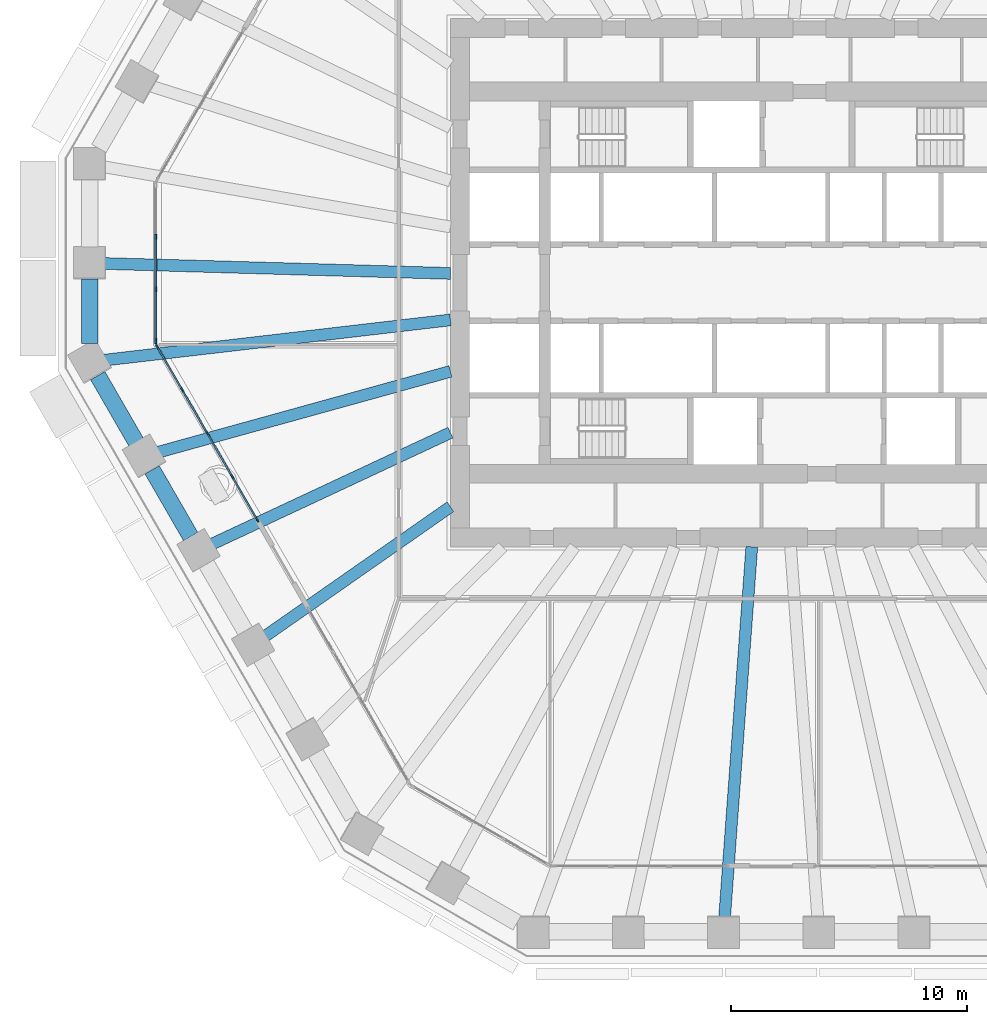
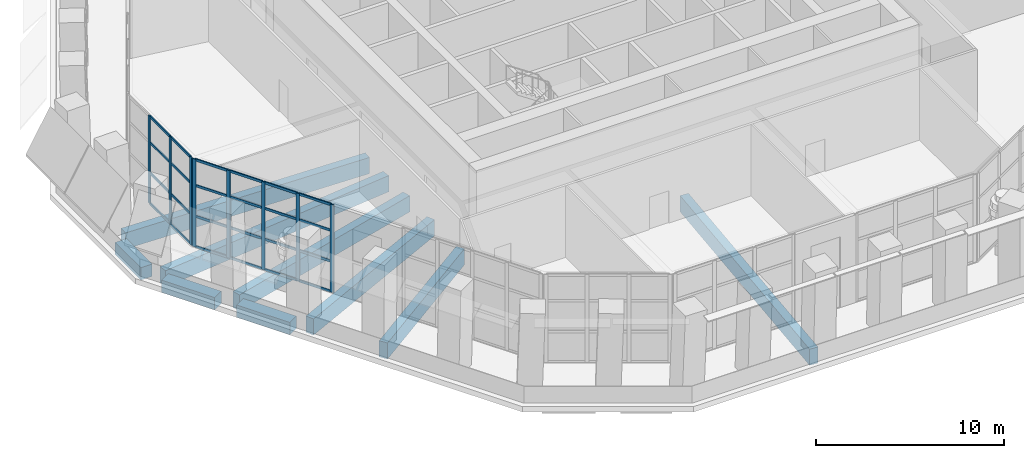
# One storey, part 3 of 22: 32 members, 9 beams, 2 elements without a shape of their own.
"""IFC4 building model written with IfcOpenShell, lengths in metres."""

from ifc_helpers import new_model, si_unit, direction, frame, origin, origin_2d, place, context, subcontext, project, spatial, rectangle, extrude, material, material_profile, profile_set, type_object, element, aggregate, save


model = new_model("IFC4")

# Units and contexts
model_context = context("Model", 3, precision=1e-05, world=origin(), true_north=direction((0.0, 1.0)))
body_context = subcontext(model_context, "Body", "Model", "MODEL_VIEW")
ifc_project = project(units=[si_unit("LENGTHUNIT", "METRE"), si_unit("AREAUNIT", "SQUARE_METRE"), si_unit("VOLUMEUNIT", "CUBIC_METRE"), si_unit("PLANEANGLEUNIT", "RADIAN"), si_unit("MASSUNIT", "GRAM", prefix="KILO")], contexts=[model_context])

# Site, building, storey
site_placement = place(None, origin())
site = spatial("IfcSite", under=ifc_project, at=site_placement, CompositionType="ELEMENT")
building_placement = place(site_placement, origin())
building = spatial("IfcBuilding", under=site, at=building_placement, Name="Frailejon Research Tower", CompositionType="ELEMENT")
storey_placement = place(building_placement, frame((0.0, 0.0, 107.199951171875)))
storey = spatial("IfcBuildingStorey", under=building, at=storey_placement, Name="L23", CompositionType="ELEMENT", Elevation=107.199951171875)

# Beams
ifc_material_1 = material(Name="Concrete C60/75", Category="concrete")
ifc_material_profile_1 = material_profile(ifc_material_1, rectangle(XDim=0.5, YDim=1.050048828125, at=origin_2d()), Name="Girder 500x1050")
ifc_profile_set_1 = profile_set([ifc_material_profile_1], Name="Concrete C60/75")
beam_type_1 = type_object("IfcBeamType", Name="Girder 500x1050", PredefinedType="BEAM", material=ifc_profile_set_1)
beam_1_placement = place(storey_placement, frame((-28.36669921875, 0.814697265625, -0.824951171875), z_axis=(0.99958788341, -0.02870650343, 0.0), x_axis=(0.02870650343, 0.99958788341, 0.0)))
element("IfcBeam", 1, at=beam_1_placement, inside=storey, type_object=beam_type_1, Name="Girder 500x1050", PredefinedType="BEAM", context=body_context, shape_type="SweptSolid", body=[
    extrude(rectangle(XDim=0.5, YDim=1.050048828125, at=origin_2d()), origin(), (0.0, 0.0, 1.0), 14.772705078125),
])
beam_2_placement = place(storey_placement, frame((-28.310302734375, -3.290283203125, -0.824951171875), z_axis=(0.993313360976, 0.115449412758, 0.0), x_axis=(-0.115449412758, 0.993313360976, 0.0)))
element("IfcBeam", 2, at=beam_2_placement, inside=storey, type_object=beam_type_1, Name="Girder 500x1050", PredefinedType="BEAM", context=body_context, shape_type="SweptSolid", body=[
    extrude(rectangle(XDim=0.5, YDim=1.050048828125, at=origin_2d()), origin(), (0.0, 0.0, 1.0), 14.809326171875),
])
beam_3_placement = place(storey_placement, frame((-26.056640625, -7.208740234375, -0.824951171875), z_axis=(0.963793976071, 0.266648029599, 0.0), x_axis=(-0.266648029599, 0.963793976071, 0.0)))
element("IfcBeam", 3, at=beam_3_placement, inside=storey, type_object=beam_type_1, Name="Girder 500x1050", PredefinedType="BEAM", context=body_context, shape_type="SweptSolid", body=[
    extrude(rectangle(XDim=0.5, YDim=1.050048828125, at=origin_2d()), origin(), (0.0, 0.0, 1.0), 12.924560546875),
])
beam_4_placement = place(storey_placement, frame((-23.798828125, -11.128173828125, -0.824951171875), z_axis=(0.905863227324, 0.423570316927, 0.0), x_axis=(-0.423570316927, 0.905863227324, 0.0)))
element("IfcBeam", 4, at=beam_4_placement, inside=storey, type_object=beam_type_1, Name="Girder 500x1050", PredefinedType="BEAM", context=body_context, shape_type="SweptSolid", body=[
    extrude(rectangle(XDim=0.5, YDim=1.050048828125, at=origin_2d()), origin(), (0.0, 0.0, 1.0), 11.258544921875),
])
beam_5_placement = place(storey_placement, frame((-21.53662109375, -15.04638671875, -0.824951171875), z_axis=(0.819748109744, 0.572724223838, 0.0), x_axis=(-0.572724223838, 0.819748109744, 0.0)))
element("IfcBeam", 5, at=beam_5_placement, inside=storey, type_object=beam_type_1, Name="Girder 500x1050", PredefinedType="BEAM", context=body_context, shape_type="SweptSolid", body=[
    extrude(rectangle(XDim=0.5, YDim=1.050048828125, at=origin_2d()), origin(), (0.0, 0.0, 1.0), 9.681640625),
])
beam_6_placement = place(storey_placement, frame((-1.981689453125, -27.00439453125, -0.824951171875), z_axis=(0.073179335607, 0.997318797998, 0.0), x_axis=(-0.997318797998, 0.073179335607, 0.0)))
element("IfcBeam", 6, at=beam_6_placement, inside=storey, type_object=beam_type_1, Name="Girder 500x1050", PredefinedType="BEAM", context=body_context, shape_type="SweptSolid", body=[
    extrude(rectangle(XDim=0.5, YDim=1.050048828125, at=origin_2d()), origin(), (0.0, 0.0, 1.0), 15.846923828125),
])

# Curtain wall, members
ifc_material_2 = material(Name="Aluminium curtain wall", Category="aluminium")
curtain_wall_type = type_object("IfcCurtainWallType", Name="Sky lobby curtain wall system", PredefinedType="NOTDEFINED", material=ifc_material_2)
curtain_wall_1_placement = place(storey_placement, origin())
curtain_wall_1 = element("IfcCurtainWall", 7, at=curtain_wall_1_placement, inside=storey, type_object=curtain_wall_type, Name="Curtain wall L23", PredefinedType="NOTDEFINED")
ifc_material_3 = material(Name="Aluminium extrusion", Category="aluminium")
ifc_material_profile_2 = material_profile(ifc_material_3, rectangle(XDim=0.070068359375, YDim=0.219970703125, at=origin_2d()), Name="Sky lobby curtain wall mullion 70x220")
ifc_profile_set_2 = profile_set([ifc_material_profile_2], Name="Aluminium extrusion")
member_type_1 = type_object("IfcMemberType", Name="Sky lobby curtain wall mullion 70x220", PredefinedType="MULLION", material=ifc_profile_set_2)
member_1_placement = place(storey_placement, frame((-26.091796875, 1.942138671875, 0.0), z_axis=(0.0, 0.0, 1.0), x_axis=(1.0, 0.0, 0.0)))
member_1 = element("IfcMember", 8, at=member_1_placement, type_object=member_type_1, Name="CW4-090 mullion 2", PredefinedType="MULLION", context=body_context, shape_type="SweptSolid", body=[
    extrude(rectangle(XDim=0.070068359375, YDim=0.219970703125, at=origin_2d()), origin(), (0.0, 0.0, 1.0), 5.699951171875),
])
member_2_placement = place(storey_placement, frame((-26.091796875, -0.28271484375, 0.0), z_axis=(0.0, 0.0, 1.0), x_axis=(1.0, 0.0, 0.0)))
member_2 = element("IfcMember", 9, at=member_2_placement, type_object=member_type_1, Name="CW4-090 mullion 3", PredefinedType="MULLION", context=body_context, shape_type="SweptSolid", body=[
    extrude(rectangle(XDim=0.070068359375, YDim=0.219970703125, at=origin_2d()), origin(), (0.0, 0.0, 1.0), 5.699951171875),
])
member_3_placement = place(storey_placement, frame((-26.091796875, -2.47265625, 0.0), z_axis=(0.0, 0.0, 1.0), x_axis=(1.0, 0.0, 0.0)))
member_3 = element("IfcMember", 10, at=member_3_placement, type_object=member_type_1, Name="CW4-090 mullion 4", PredefinedType="MULLION", context=body_context, shape_type="SweptSolid", body=[
    extrude(rectangle(XDim=0.070068359375, YDim=0.219970703125, at=origin_2d()), origin(), (0.0, 0.0, 1.0), 5.699951171875),
])

curtain_wall_2_placement = place(storey_placement, origin())
curtain_wall_2 = element("IfcCurtainWall", 11, at=curtain_wall_2_placement, inside=storey, type_object=curtain_wall_type, Name="Curtain wall L23", PredefinedType="NOTDEFINED")
member_4_placement = place(storey_placement, frame((-26.0244140625, -2.724609375, 0.0), z_axis=(0.0, 0.0, 1.0), x_axis=(0.866025500668, 0.499999832193, 0.0)))
member_4 = element("IfcMember", 12, at=member_4_placement, type_object=member_type_1, Name="CW4-091 mullion 1", PredefinedType="MULLION", context=body_context, shape_type="SweptSolid", body=[
    extrude(rectangle(XDim=0.070068359375, YDim=0.219970703125, at=origin_2d()), origin(), (0.0, 0.0, 1.0), 5.699951171875),
])
member_5_placement = place(storey_placement, frame((-24.9755859375, -4.541015625, 0.0), z_axis=(0.0, 0.0, 1.0), x_axis=(0.866025500668, 0.499999832193, 0.0)))
member_5 = element("IfcMember", 13, at=member_5_placement, type_object=member_type_1, Name="CW4-091 mullion 2", PredefinedType="MULLION", context=body_context, shape_type="SweptSolid", body=[
    extrude(rectangle(XDim=0.070068359375, YDim=0.219970703125, at=origin_2d()), origin(), (0.0, 0.0, 1.0), 5.699951171875),
])
member_6_placement = place(storey_placement, frame((-23.9091796875, -6.387939453125, 0.0), z_axis=(0.0, 0.0, 1.0), x_axis=(0.866025500668, 0.499999832193, 0.0)))
member_6 = element("IfcMember", 14, at=member_6_placement, type_object=member_type_1, Name="CW4-091 mullion 3", PredefinedType="MULLION", context=body_context, shape_type="SweptSolid", body=[
    extrude(rectangle(XDim=0.070068359375, YDim=0.219970703125, at=origin_2d()), origin(), (0.0, 0.0, 1.0), 5.699951171875),
])
member_7_placement = place(storey_placement, frame((-22.843017578125, -8.234619140625, 0.0), z_axis=(0.0, 0.0, 1.0), x_axis=(0.866025500668, 0.499999832193, 0.0)))
member_7 = element("IfcMember", 15, at=member_7_placement, type_object=member_type_1, Name="CW4-091 mullion 4", PredefinedType="MULLION", context=body_context, shape_type="SweptSolid", body=[
    extrude(rectangle(XDim=0.070068359375, YDim=0.219970703125, at=origin_2d()), origin(), (0.0, 0.0, 1.0), 5.699951171875),
])
member_8_placement = place(storey_placement, frame((-21.794189453125, -10.05126953125, 0.0), z_axis=(0.0, 0.0, 1.0), x_axis=(0.866025500668, 0.499999832193, 0.0)))
member_8 = element("IfcMember", 16, at=member_8_placement, type_object=member_type_1, Name="CW4-091 mullion 5", PredefinedType="MULLION", context=body_context, shape_type="SweptSolid", body=[
    extrude(rectangle(XDim=0.070068359375, YDim=0.219970703125, at=origin_2d()), origin(), (0.0, 0.0, 1.0), 5.699951171875),
])

# Member
ifc_material_4 = material(Name="Aluminium extrusion", Category="aluminium")
ifc_material_profile_3 = material_profile(ifc_material_4, rectangle(XDim=0.070068359375, YDim=0.159912109375, at=origin_2d()), Name="Sky lobby curtain wall transom 70x160")
ifc_profile_set_3 = profile_set([ifc_material_profile_3], Name="Aluminium extrusion")
member_type_2 = type_object("IfcMemberType", Name="Sky lobby curtain wall transom 70x160", PredefinedType="USERDEFINED", material=ifc_profile_set_3)
member_9_placement = place(storey_placement, frame((-26.091796875, 1.906982421875, 0.03515625), z_axis=(0.0, -1.0, 0.0), x_axis=(1.0, 0.0, 0.0)))
member_9 = element("IfcMember", 17, at=member_9_placement, type_object=member_type_2, Name="CW4-090 transom 2.1", ObjectType="TRANSOM", PredefinedType="USERDEFINED", context=body_context, shape_type="SweptSolid", body=[
    extrude(rectangle(XDim=0.070068359375, YDim=0.159912109375, at=origin_2d()), origin(), (0.0, 0.0, 1.0), 2.15478515625),
])

member_10_placement = place(storey_placement, frame((-26.091796875, 1.906982421875, 2.0), z_axis=(0.0, -1.0, 0.0), x_axis=(1.0, 0.0, 0.0)))
member_10 = element("IfcMember", 18, at=member_10_placement, type_object=member_type_2, Name="CW4-090 transom 2.2", ObjectType="TRANSOM", PredefinedType="USERDEFINED", context=body_context, shape_type="SweptSolid", body=[
    extrude(rectangle(XDim=0.070068359375, YDim=0.159912109375, at=origin_2d()), origin(), (0.0, 0.0, 1.0), 2.15478515625),
])

member_11_placement = place(storey_placement, frame((-26.091796875, 1.906982421875, 4.0), z_axis=(0.0, -1.0, 0.0), x_axis=(1.0, 0.0, 0.0)))
member_11 = element("IfcMember", 19, at=member_11_placement, type_object=member_type_2, Name="CW4-090 transom 2.3", ObjectType="TRANSOM", PredefinedType="USERDEFINED", context=body_context, shape_type="SweptSolid", body=[
    extrude(rectangle(XDim=0.070068359375, YDim=0.159912109375, at=origin_2d()), origin(), (0.0, 0.0, 1.0), 2.15478515625),
])

member_12_placement = place(storey_placement, frame((-26.091796875, 1.906982421875, 5.6650390625), z_axis=(0.0, -1.0, 0.0), x_axis=(1.0, 0.0, 0.0)))
member_12 = element("IfcMember", 20, at=member_12_placement, type_object=member_type_2, Name="CW4-090 transom 2.4", ObjectType="TRANSOM", PredefinedType="USERDEFINED", context=body_context, shape_type="SweptSolid", body=[
    extrude(rectangle(XDim=0.070068359375, YDim=0.159912109375, at=origin_2d()), origin(), (0.0, 0.0, 1.0), 2.15478515625),
])

member_13_placement = place(storey_placement, frame((-26.091796875, -0.31787109375, 0.03515625), z_axis=(0.0, -1.0, 0.0), x_axis=(1.0, 0.0, 0.0)))
member_13 = element("IfcMember", 21, at=member_13_placement, type_object=member_type_2, Name="CW4-090 transom 3.1", ObjectType="TRANSOM", PredefinedType="USERDEFINED", context=body_context, shape_type="SweptSolid", body=[
    extrude(rectangle(XDim=0.070068359375, YDim=0.159912109375, at=origin_2d()), origin(), (0.0, 0.0, 1.0), 2.119873046875),
])

member_14_placement = place(storey_placement, frame((-26.091796875, -0.31787109375, 2.0), z_axis=(0.0, -1.0, 0.0), x_axis=(1.0, 0.0, 0.0)))
member_14 = element("IfcMember", 22, at=member_14_placement, type_object=member_type_2, Name="CW4-090 transom 3.2", ObjectType="TRANSOM", PredefinedType="USERDEFINED", context=body_context, shape_type="SweptSolid", body=[
    extrude(rectangle(XDim=0.070068359375, YDim=0.159912109375, at=origin_2d()), origin(), (0.0, 0.0, 1.0), 2.119873046875),
])

member_15_placement = place(storey_placement, frame((-26.091796875, -0.31787109375, 4.0), z_axis=(0.0, -1.0, 0.0), x_axis=(1.0, 0.0, 0.0)))
member_15 = element("IfcMember", 23, at=member_15_placement, type_object=member_type_2, Name="CW4-090 transom 3.3", ObjectType="TRANSOM", PredefinedType="USERDEFINED", context=body_context, shape_type="SweptSolid", body=[
    extrude(rectangle(XDim=0.070068359375, YDim=0.159912109375, at=origin_2d()), origin(), (0.0, 0.0, 1.0), 2.119873046875),
])

member_16_placement = place(storey_placement, frame((-26.091796875, -0.31787109375, 5.6650390625), z_axis=(0.0, -1.0, 0.0), x_axis=(1.0, 0.0, 0.0)))
member_16 = element("IfcMember", 24, at=member_16_placement, type_object=member_type_2, Name="CW4-090 transom 3.4", ObjectType="TRANSOM", PredefinedType="USERDEFINED", context=body_context, shape_type="SweptSolid", body=[
    extrude(rectangle(XDim=0.070068359375, YDim=0.159912109375, at=origin_2d()), origin(), (0.0, 0.0, 1.0), 2.119873046875),
])

aggregate(curtain_wall_1, [member_1, member_2, member_3, member_9, member_10, member_11, member_12, member_13, member_14, member_15, member_16])

member_17_placement = place(storey_placement, frame((-26.0068359375, -2.7548828125, 0.03515625), z_axis=(0.499972622635, -0.866041209536, 0.0), x_axis=(0.866041209536, 0.499972622635, 0.0)))
member_17 = element("IfcMember", 25, at=member_17_placement, type_object=member_type_2, Name="CW4-091 transom 1.1", ObjectType="TRANSOM", PredefinedType="USERDEFINED", context=body_context, shape_type="SweptSolid", body=[
    extrude(rectangle(XDim=0.070068359375, YDim=0.159912109375, at=origin_2d()), origin(), (0.0, 0.0, 1.0), 2.02734375),
])

member_18_placement = place(storey_placement, frame((-26.0068359375, -2.7548828125, 2.0), z_axis=(0.499972622635, -0.866041209536, 0.0), x_axis=(0.866041209536, 0.499972622635, 0.0)))
member_18 = element("IfcMember", 26, at=member_18_placement, type_object=member_type_2, Name="CW4-091 transom 1.2", ObjectType="TRANSOM", PredefinedType="USERDEFINED", context=body_context, shape_type="SweptSolid", body=[
    extrude(rectangle(XDim=0.070068359375, YDim=0.159912109375, at=origin_2d()), origin(), (0.0, 0.0, 1.0), 2.02734375),
])

member_19_placement = place(storey_placement, frame((-26.0068359375, -2.7548828125, 4.0), z_axis=(0.499972622635, -0.866041209536, 0.0), x_axis=(0.866041209536, 0.499972622635, 0.0)))
member_19 = element("IfcMember", 27, at=member_19_placement, type_object=member_type_2, Name="CW4-091 transom 1.3", ObjectType="TRANSOM", PredefinedType="USERDEFINED", context=body_context, shape_type="SweptSolid", body=[
    extrude(rectangle(XDim=0.070068359375, YDim=0.159912109375, at=origin_2d()), origin(), (0.0, 0.0, 1.0), 2.02734375),
])

member_20_placement = place(storey_placement, frame((-26.0068359375, -2.7548828125, 5.6650390625), z_axis=(0.499972622635, -0.866041209536, 0.0), x_axis=(0.866041209536, 0.499972622635, 0.0)))
member_20 = element("IfcMember", 28, at=member_20_placement, type_object=member_type_2, Name="CW4-091 transom 1.4", ObjectType="TRANSOM", PredefinedType="USERDEFINED", context=body_context, shape_type="SweptSolid", body=[
    extrude(rectangle(XDim=0.070068359375, YDim=0.159912109375, at=origin_2d()), origin(), (0.0, 0.0, 1.0), 2.02734375),
])

member_21_placement = place(storey_placement, frame((-24.9580078125, -4.5712890625, 0.03515625), z_axis=(0.499958106649, -0.866049589571, 0.0), x_axis=(0.866049589571, 0.499958106649, 0.0)))
member_21 = element("IfcMember", 29, at=member_21_placement, type_object=member_type_2, Name="CW4-091 transom 2.1", ObjectType="TRANSOM", PredefinedType="USERDEFINED", context=body_context, shape_type="SweptSolid", body=[
    extrude(rectangle(XDim=0.070068359375, YDim=0.159912109375, at=origin_2d()), origin(), (0.0, 0.0, 1.0), 2.062744140625),
])

member_22_placement = place(storey_placement, frame((-24.9580078125, -4.5712890625, 2.0), z_axis=(0.499958106649, -0.866049589571, 0.0), x_axis=(0.866049589571, 0.499958106649, 0.0)))
member_22 = element("IfcMember", 30, at=member_22_placement, type_object=member_type_2, Name="CW4-091 transom 2.2", ObjectType="TRANSOM", PredefinedType="USERDEFINED", context=body_context, shape_type="SweptSolid", body=[
    extrude(rectangle(XDim=0.070068359375, YDim=0.159912109375, at=origin_2d()), origin(), (0.0, 0.0, 1.0), 2.062744140625),
])

member_23_placement = place(storey_placement, frame((-24.9580078125, -4.5712890625, 4.0), z_axis=(0.499958106649, -0.866049589571, 0.0), x_axis=(0.866049589571, 0.499958106649, 0.0)))
member_23 = element("IfcMember", 31, at=member_23_placement, type_object=member_type_2, Name="CW4-091 transom 2.3", ObjectType="TRANSOM", PredefinedType="USERDEFINED", context=body_context, shape_type="SweptSolid", body=[
    extrude(rectangle(XDim=0.070068359375, YDim=0.159912109375, at=origin_2d()), origin(), (0.0, 0.0, 1.0), 2.062744140625),
])

member_24_placement = place(storey_placement, frame((-24.9580078125, -4.5712890625, 5.6650390625), z_axis=(0.499958106649, -0.866049589571, 0.0), x_axis=(0.866049589571, 0.499958106649, 0.0)))
member_24 = element("IfcMember", 32, at=member_24_placement, type_object=member_type_2, Name="CW4-091 transom 2.4", ObjectType="TRANSOM", PredefinedType="USERDEFINED", context=body_context, shape_type="SweptSolid", body=[
    extrude(rectangle(XDim=0.070068359375, YDim=0.159912109375, at=origin_2d()), origin(), (0.0, 0.0, 1.0), 2.062744140625),
])

member_25_placement = place(storey_placement, frame((-23.891845703125, -6.418212890625, 0.03515625), z_axis=(0.500009360108, -0.866019999656, 0.0), x_axis=(0.866019999656, 0.500009360108, 0.0)))
member_25 = element("IfcMember", 33, at=member_25_placement, type_object=member_type_2, Name="CW4-091 transom 3.1", ObjectType="TRANSOM", PredefinedType="USERDEFINED", context=body_context, shape_type="SweptSolid", body=[
    extrude(rectangle(XDim=0.070068359375, YDim=0.159912109375, at=origin_2d()), origin(), (0.0, 0.0, 1.0), 2.0625),
])

member_26_placement = place(storey_placement, frame((-23.891845703125, -6.418212890625, 2.0), z_axis=(0.500009360108, -0.866019999656, 0.0), x_axis=(0.866019999656, 0.500009360108, 0.0)))
member_26 = element("IfcMember", 34, at=member_26_placement, type_object=member_type_2, Name="CW4-091 transom 3.2", ObjectType="TRANSOM", PredefinedType="USERDEFINED", context=body_context, shape_type="SweptSolid", body=[
    extrude(rectangle(XDim=0.070068359375, YDim=0.159912109375, at=origin_2d()), origin(), (0.0, 0.0, 1.0), 2.0625),
])

member_27_placement = place(storey_placement, frame((-23.891845703125, -6.418212890625, 4.0), z_axis=(0.500009360108, -0.866019999656, 0.0), x_axis=(0.866019999656, 0.500009360108, 0.0)))
member_27 = element("IfcMember", 35, at=member_27_placement, type_object=member_type_2, Name="CW4-091 transom 3.3", ObjectType="TRANSOM", PredefinedType="USERDEFINED", context=body_context, shape_type="SweptSolid", body=[
    extrude(rectangle(XDim=0.070068359375, YDim=0.159912109375, at=origin_2d()), origin(), (0.0, 0.0, 1.0), 2.0625),
])

member_28_placement = place(storey_placement, frame((-23.891845703125, -6.418212890625, 5.6650390625), z_axis=(0.500009360108, -0.866019999656, 0.0), x_axis=(0.866019999656, 0.500009360108, 0.0)))
member_28 = element("IfcMember", 36, at=member_28_placement, type_object=member_type_2, Name="CW4-091 transom 3.4", ObjectType="TRANSOM", PredefinedType="USERDEFINED", context=body_context, shape_type="SweptSolid", body=[
    extrude(rectangle(XDim=0.070068359375, YDim=0.159912109375, at=origin_2d()), origin(), (0.0, 0.0, 1.0), 2.0625),
])

member_29_placement = place(storey_placement, frame((-22.825439453125, -8.264892578125, 0.03515625), z_axis=(0.49992048685, -0.866071305856, 0.0), x_axis=(0.866071305856, 0.49992048685, 0.0)))
member_29 = element("IfcMember", 37, at=member_29_placement, type_object=member_type_2, Name="CW4-091 transom 4.1", ObjectType="TRANSOM", PredefinedType="USERDEFINED", context=body_context, shape_type="SweptSolid", body=[
    extrude(rectangle(XDim=0.070068359375, YDim=0.159912109375, at=origin_2d()), origin(), (0.0, 0.0, 1.0), 2.027587890625),
])

member_30_placement = place(storey_placement, frame((-22.825439453125, -8.264892578125, 2.0), z_axis=(0.49992048685, -0.866071305856, 0.0), x_axis=(0.866071305856, 0.49992048685, 0.0)))
member_30 = element("IfcMember", 38, at=member_30_placement, type_object=member_type_2, Name="CW4-091 transom 4.2", ObjectType="TRANSOM", PredefinedType="USERDEFINED", context=body_context, shape_type="SweptSolid", body=[
    extrude(rectangle(XDim=0.070068359375, YDim=0.159912109375, at=origin_2d()), origin(), (0.0, 0.0, 1.0), 2.027587890625),
])

member_31_placement = place(storey_placement, frame((-22.825439453125, -8.264892578125, 4.0), z_axis=(0.49992048685, -0.866071305856, 0.0), x_axis=(0.866071305856, 0.49992048685, 0.0)))
member_31 = element("IfcMember", 39, at=member_31_placement, type_object=member_type_2, Name="CW4-091 transom 4.3", ObjectType="TRANSOM", PredefinedType="USERDEFINED", context=body_context, shape_type="SweptSolid", body=[
    extrude(rectangle(XDim=0.070068359375, YDim=0.159912109375, at=origin_2d()), origin(), (0.0, 0.0, 1.0), 2.027587890625),
])

member_32_placement = place(storey_placement, frame((-22.825439453125, -8.264892578125, 5.6650390625), z_axis=(0.49992048685, -0.866071305856, 0.0), x_axis=(0.866071305856, 0.49992048685, 0.0)))
member_32 = element("IfcMember", 40, at=member_32_placement, type_object=member_type_2, Name="CW4-091 transom 4.4", ObjectType="TRANSOM", PredefinedType="USERDEFINED", context=body_context, shape_type="SweptSolid", body=[
    extrude(rectangle(XDim=0.070068359375, YDim=0.159912109375, at=origin_2d()), origin(), (0.0, 0.0, 1.0), 2.027587890625),
])

aggregate(curtain_wall_2, [member_4, member_5, member_6, member_7, member_8, member_17, member_18, member_19, member_20, member_21, member_22, member_23, member_24, member_25, member_26, member_27, member_28, member_29, member_30, member_31, member_32])

# Beams
ifc_material_5 = material(Name="Concrete C60/75", Category="concrete")
ifc_material_profile_4 = material_profile(ifc_material_5, rectangle(XDim=0.699951171875, YDim=0.800048828125, at=origin_2d()), Name="Spandrel 700x800")
ifc_profile_set_4 = profile_set([ifc_material_profile_4], Name="Concrete C60/75")
beam_type_2 = type_object("IfcBeamType", Name="Spandrel 700x800", PredefinedType="BEAM", material=ifc_profile_set_4)
beam_7_placement = place(storey_placement, frame((-28.891845703125, 0.15478515625, -0.75), z_axis=(0.0, -1.0, 0.0), x_axis=(1.0, 0.0, 0.0)))
element("IfcBeam", 41, at=beam_7_placement, inside=storey, type_object=beam_type_2, Name="Spandrel 700x800", PredefinedType="BEAM", context=body_context, shape_type="SweptSolid", body=[
    extrude(rectangle(XDim=0.699951171875, YDim=0.800048828125, at=origin_2d()), origin(), (0.0, 0.0, 1.0), 2.7333984375),
])
for number, where, z_axis, x_axis, name in (
    (42, (-28.55419921875, -3.9423828125, -0.75), (0.500007244493, -0.866021221134, 0.0), (0.866021221134, 0.500007244493, 0.0), "Spandrel 700x800"),
    (43, (-26.24658203125, -7.939208984375, -0.75), (0.499918787092, -0.866072287001, 0.0), (0.866072287001, 0.499918787092, 0.0), "Spandrel 700x800"),
):
    element("IfcBeam", number, at=place(storey_placement, frame(where, z_axis=z_axis, x_axis=x_axis)), inside=storey, type_object=beam_type_2, Name=name, PredefinedType="BEAM", context=body_context, shape_type="SweptSolid", body=[
        extrude(rectangle(XDim=0.699951171875, YDim=0.800048828125, at=origin_2d()), origin(), (0.0, 0.0, 1.0), 3.26513671875),
    ])

save(model, "model.ifc")
